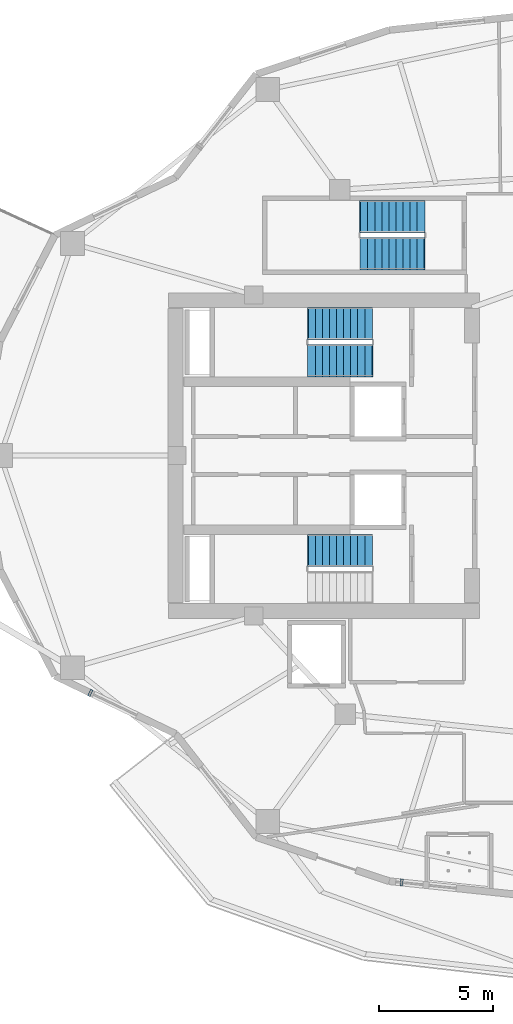
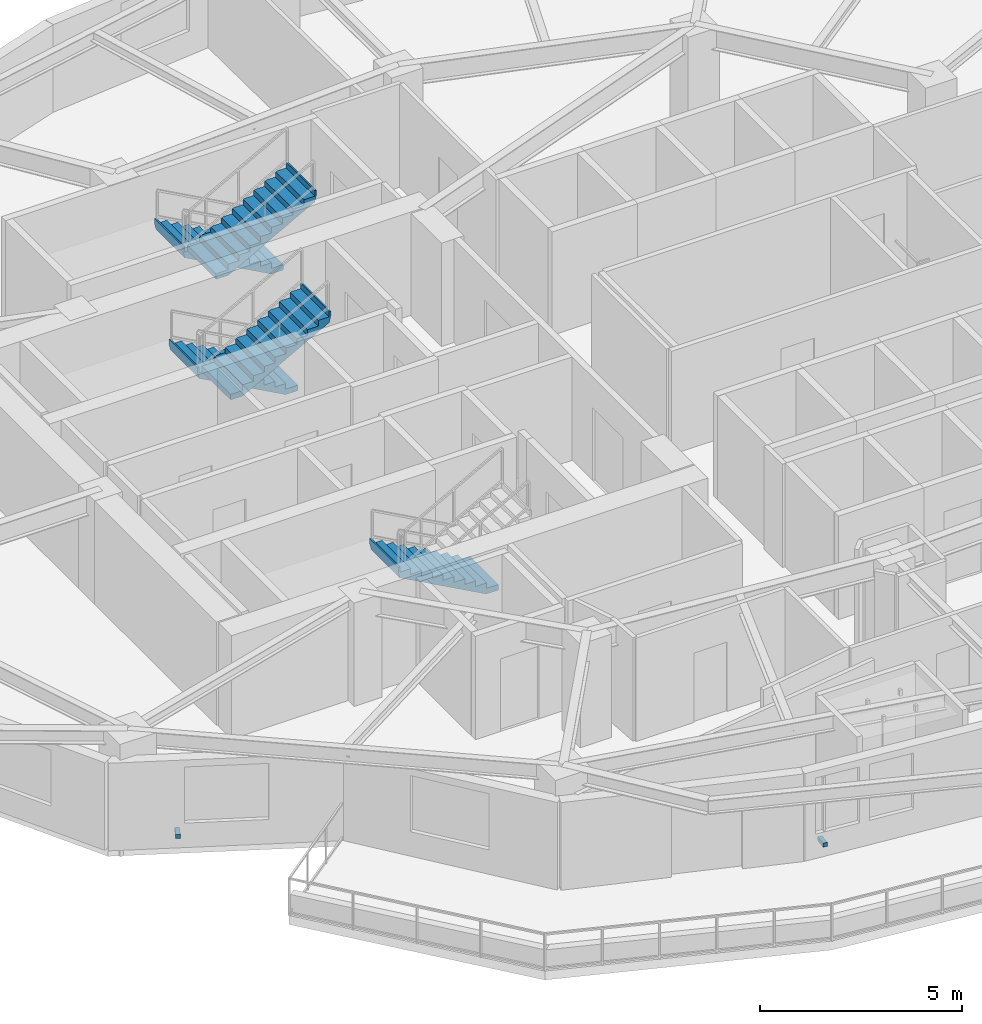
# One storey, part 7 of 14: 5 stair flights, 2 discrete accessories, 3 elements without a shape of their own.
"""IFC4 building model written with IfcOpenShell, lengths in metres."""

from ifc_helpers import new_model, si_unit, direction, frame, origin, origin_2d, place, context, subcontext, project, spatial, polyline, rectangle, outline, extrude, material, type_object, element, aggregate, save


model = new_model("IFC4")

# Units and contexts
model_context = context("Model", 3, precision=1e-05, world=origin(), true_north=direction((0.0, 1.0)))
body_context = subcontext(model_context, "Body", "Model", "MODEL_VIEW")
ifc_project = project(units=[si_unit("LENGTHUNIT", "METRE"), si_unit("AREAUNIT", "SQUARE_METRE"), si_unit("VOLUMEUNIT", "CUBIC_METRE"), si_unit("PLANEANGLEUNIT", "RADIAN"), si_unit("MASSUNIT", "GRAM", prefix="KILO")], contexts=[model_context])

# Site, building, storey
site_placement = place(None, origin())
site = spatial("IfcSite", under=ifc_project, at=site_placement, CompositionType="ELEMENT")
building_placement = place(site_placement, origin())
building = spatial("IfcBuilding", under=site, at=building_placement, Name="Kolvaren Gate Tower and Convention Centre", CompositionType="ELEMENT")
storey_placement = place(building_placement, frame((0.0, 0.0, 105.300048828125)))
storey = spatial("IfcBuildingStorey", under=building, at=storey_placement, Name="L25", CompositionType="ELEMENT", Elevation=105.300048828125)

# Stair, stair flights
ifc_material_1 = material(Name="Concrete C50/60", Category="concrete")
stair_type = type_object("IfcStairType", Name="STR-STAIR-CORE", PredefinedType="HALF_TURN_STAIR", material=ifc_material_1)
stair_1_placement = place(storey_placement, origin())
stair_1 = element("IfcStair", 1, at=stair_1_placement, inside=storey, type_object=stair_type, Name="L25 Tower North Exit Stair ST-T1", PredefinedType="HALF_TURN_STAIR")
stair_flight_type = type_object("IfcStairFlightType", Name="STR-SFL-1420", PredefinedType="STRAIGHT", material=ifc_material_1)
stair_flight_1_placement = place(storey_placement, frame((23.10009765625, 32.7900390625, 0.0), z_axis=(0.0, 0.0, 1.0), x_axis=(-1.0, 0.0, 0.0)))
stair_flight_1 = element("IfcStairFlight", 2, at=stair_flight_1_placement, type_object=stair_flight_type, Name="ST-T1 flight 1", NumberOfRisers=10, NumberOfTreads=9, PredefinedType="STRAIGHT", RiserHeight=0.17, TreadLength=0.31, context=body_context, shape_type="SweptSolid", body=[
    extrude(outline(polyline([(-0.034912109375, 0.0), (-0.034912109375, 0.169921875), (0.31005859375, 0.169921875), (0.31005859375, 0.340087890625), (0.6201171875, 0.340087890625), (0.6201171875, 0.510009765625), (0.929931640625, 0.510009765625), (0.929931640625, 0.679931640625), (1.239990234375, 0.679931640625), (1.239990234375, 0.85009765625), (1.550048828125, 0.85009765625), (1.550048828125, 1.02001953125), (1.860107421875, 1.02001953125), (1.860107421875, 1.18994140625), (2.169921875, 1.18994140625), (2.169921875, 1.360107421875), (2.47998046875, 1.360107421875), (2.47998046875, 1.530029296875), (2.7900390625, 1.530029296875), (2.7900390625, 1.699951171875), (2.8349609375, 1.699951171875), (2.8349609375, 1.5400390625), (2.7900390625, 1.359130859375), (0.311767578125, 0.0), (-0.034912109375, 0.0)])), frame((0.0, 0.7099609375, 0.0), z_axis=(0.0, -1.0, 0.0), x_axis=(1.0, 0.0, 0.0)), (0.0, 0.0, 1.0), 1.419921875),
])
stair_flight_2_placement = place(storey_placement, frame((20.31005859375, 31.169921875, 1.699951171875), z_axis=(0.0, 0.0, 1.0), x_axis=(1.0, 0.0, 0.0)))
stair_flight_2 = element("IfcStairFlight", 3, at=stair_flight_2_placement, type_object=stair_flight_type, Name="ST-T1 flight 2", NumberOfRisers=10, NumberOfTreads=9, PredefinedType="STRAIGHT", RiserHeight=0.17, TreadLength=0.31, context=body_context, shape_type="SweptSolid", body=[
    extrude(outline(polyline([(-0.034912109375, 0.0), (-0.034912109375, 0.169921875), (0.31005859375, 0.169921875), (0.31005859375, 0.340087890625), (0.6201171875, 0.340087890625), (0.6201171875, 0.510009765625), (0.929931640625, 0.510009765625), (0.929931640625, 0.679931640625), (1.239990234375, 0.679931640625), (1.239990234375, 0.85009765625), (1.550048828125, 0.85009765625), (1.550048828125, 1.02001953125), (1.860107421875, 1.02001953125), (1.860107421875, 1.18994140625), (2.169921875, 1.18994140625), (2.169921875, 1.360107421875), (2.47998046875, 1.360107421875), (2.47998046875, 1.530029296875), (2.7900390625, 1.530029296875), (2.7900390625, 1.699951171875), (2.8349609375, 1.699951171875), (2.8349609375, 1.5400390625), (2.7900390625, 1.359130859375), (0.311767578125, 0.0), (-0.034912109375, 0.0)])), frame((0.0, 0.7099609375, 0.0), z_axis=(0.0, -1.0, 0.0), x_axis=(1.0, 0.0, 0.0)), (0.0, 0.0, 1.0), 1.419921875),
])
aggregate(stair_1, [stair_flight_1, stair_flight_2])

# Stair, stair flight
stair_2_placement = place(storey_placement, origin())
stair_2 = element("IfcStair", 4, at=stair_2_placement, inside=storey, type_object=stair_type, Name="L25 Tower South Exit Stair ST-T2", PredefinedType="HALF_TURN_STAIR")
stair_flight_3_placement = place(storey_placement, frame((23.10009765625, 22.830078125, 0.0), z_axis=(0.0, 0.0, 1.0), x_axis=(-1.0, 0.0, 0.0)))
stair_flight_3 = element("IfcStairFlight", 5, at=stair_flight_3_placement, type_object=stair_flight_type, Name="ST-T2 flight 1", NumberOfRisers=10, NumberOfTreads=9, PredefinedType="STRAIGHT", RiserHeight=0.17, TreadLength=0.31, context=body_context, shape_type="SweptSolid", body=[
    extrude(outline(polyline([(-0.034912109375, 0.0), (-0.034912109375, 0.169921875), (0.31005859375, 0.169921875), (0.31005859375, 0.340087890625), (0.6201171875, 0.340087890625), (0.6201171875, 0.510009765625), (0.929931640625, 0.510009765625), (0.929931640625, 0.679931640625), (1.239990234375, 0.679931640625), (1.239990234375, 0.85009765625), (1.550048828125, 0.85009765625), (1.550048828125, 1.02001953125), (1.860107421875, 1.02001953125), (1.860107421875, 1.18994140625), (2.169921875, 1.18994140625), (2.169921875, 1.360107421875), (2.47998046875, 1.360107421875), (2.47998046875, 1.530029296875), (2.7900390625, 1.530029296875), (2.7900390625, 1.699951171875), (2.8349609375, 1.699951171875), (2.8349609375, 1.5400390625), (2.7900390625, 1.359130859375), (0.311767578125, 0.0), (-0.034912109375, 0.0)])), frame((0.0, 0.7099609375, 0.0), z_axis=(0.0, -1.0, 0.0), x_axis=(1.0, 0.0, 0.0)), (0.0, 0.0, 1.0), 1.419921875),
])
aggregate(stair_2, [stair_flight_3])

# Stair, stair flights
stair_3_placement = place(storey_placement, origin())
stair_3 = element("IfcStair", 6, at=stair_3_placement, inside=storey, type_object=stair_type, Name="L25 Tower Mid-Zone Exit Stair ST-T3", PredefinedType="HALF_TURN_STAIR")
stair_flight_4_placement = place(storey_placement, frame((25.39990234375, 37.489990234375, 0.0), z_axis=(0.0, 0.0, 1.0), x_axis=(-1.0, 0.0, 0.0)))
stair_flight_4 = element("IfcStairFlight", 7, at=stair_flight_4_placement, type_object=stair_flight_type, Name="ST-T3 flight 1", NumberOfRisers=10, NumberOfTreads=9, PredefinedType="STRAIGHT", RiserHeight=0.17, TreadLength=0.31, context=body_context, shape_type="SweptSolid", body=[
    extrude(outline(polyline([(-0.034912109375, 0.0), (-0.034912109375, 0.169921875), (0.31005859375, 0.169921875), (0.31005859375, 0.340087890625), (0.6201171875, 0.340087890625), (0.6201171875, 0.510009765625), (0.929931640625, 0.510009765625), (0.929931640625, 0.679931640625), (1.239990234375, 0.679931640625), (1.239990234375, 0.85009765625), (1.550048828125, 0.85009765625), (1.550048828125, 1.02001953125), (1.860107421875, 1.02001953125), (1.860107421875, 1.18994140625), (2.169921875, 1.18994140625), (2.169921875, 1.360107421875), (2.47998046875, 1.360107421875), (2.47998046875, 1.530029296875), (2.7900390625, 1.530029296875), (2.7900390625, 1.699951171875), (2.8349609375, 1.699951171875), (2.8349609375, 1.5400390625), (2.7900390625, 1.359130859375), (0.311767578125, 0.0), (-0.034912109375, 0.0)])), frame((0.0, 0.7099609375, 0.0), z_axis=(0.0, -1.0, 0.0), x_axis=(1.0, 0.0, 0.0)), (0.0, 0.0, 1.0), 1.419921875),
])
stair_flight_5_placement = place(storey_placement, frame((22.610107421875, 35.8701171875, 1.699951171875), z_axis=(0.0, 0.0, 1.0), x_axis=(1.0, 0.0, 0.0)))
stair_flight_5 = element("IfcStairFlight", 8, at=stair_flight_5_placement, type_object=stair_flight_type, Name="ST-T3 flight 2", NumberOfRisers=10, NumberOfTreads=9, PredefinedType="STRAIGHT", RiserHeight=0.17, TreadLength=0.31, context=body_context, shape_type="SweptSolid", body=[
    extrude(outline(polyline([(-0.034912109375, 0.0), (-0.034912109375, 0.169921875), (0.31005859375, 0.169921875), (0.31005859375, 0.340087890625), (0.6201171875, 0.340087890625), (0.6201171875, 0.510009765625), (0.929931640625, 0.510009765625), (0.929931640625, 0.679931640625), (1.239990234375, 0.679931640625), (1.239990234375, 0.85009765625), (1.550048828125, 0.85009765625), (1.550048828125, 1.02001953125), (1.860107421875, 1.02001953125), (1.860107421875, 1.18994140625), (2.169921875, 1.18994140625), (2.169921875, 1.360107421875), (2.47998046875, 1.360107421875), (2.47998046875, 1.530029296875), (2.7900390625, 1.530029296875), (2.7900390625, 1.699951171875), (2.8349609375, 1.699951171875), (2.8349609375, 1.5400390625), (2.7900390625, 1.359130859375), (0.311767578125, 0.0), (-0.034912109375, 0.0)])), frame((0.0, 0.7099609375, 0.0), z_axis=(0.0, -1.0, 0.0), x_axis=(1.0, 0.0, 0.0)), (0.0, 0.0, 1.0), 1.419921875),
])
aggregate(stair_3, [stair_flight_4, stair_flight_5])

# Discrete accessories
ifc_material_2 = material(Name="Anodized Architectural Aluminium Alloy 6063-T6", Category="aluminium")
discrete_accessory_type = type_object("IfcDiscreteAccessoryType", Name="ARCH-ACC-BRACKET-120", PredefinedType="BRACKET", material=ifc_material_2)
for number, where, z_axis, x_axis, name in (
    (9, (10.7392578125, 16.574951171875, 0.289794921875), (0.0, 0.0, 1.0), (0.901362925045, -0.433064518696, 0.0), "Ceramic Fin Wall Anchor Bracket FBK-L25-14"),
    (10, (24.411865234375, 8.251708984375, 0.289794921875), (0.0, 0.0, 1.0), (0.994499981166, -0.104736753152, 0.0), "Ceramic Fin Wall Anchor Bracket FBK-L25-17"),
):
    element("IfcDiscreteAccessory", number, at=place(storey_placement, frame(where, z_axis=z_axis, x_axis=x_axis)), inside=storey, type_object=discrete_accessory_type, Name=name, PredefinedType="BRACKET", context=body_context, shape_type="SweptSolid", body=[
        extrude(rectangle(XDim=0.1201171875, YDim=0.320068359375, at=origin_2d()), origin(), (0.0, 0.0, 1.0), 0.1201171875),
    ])

save(model, "model.ifc")
